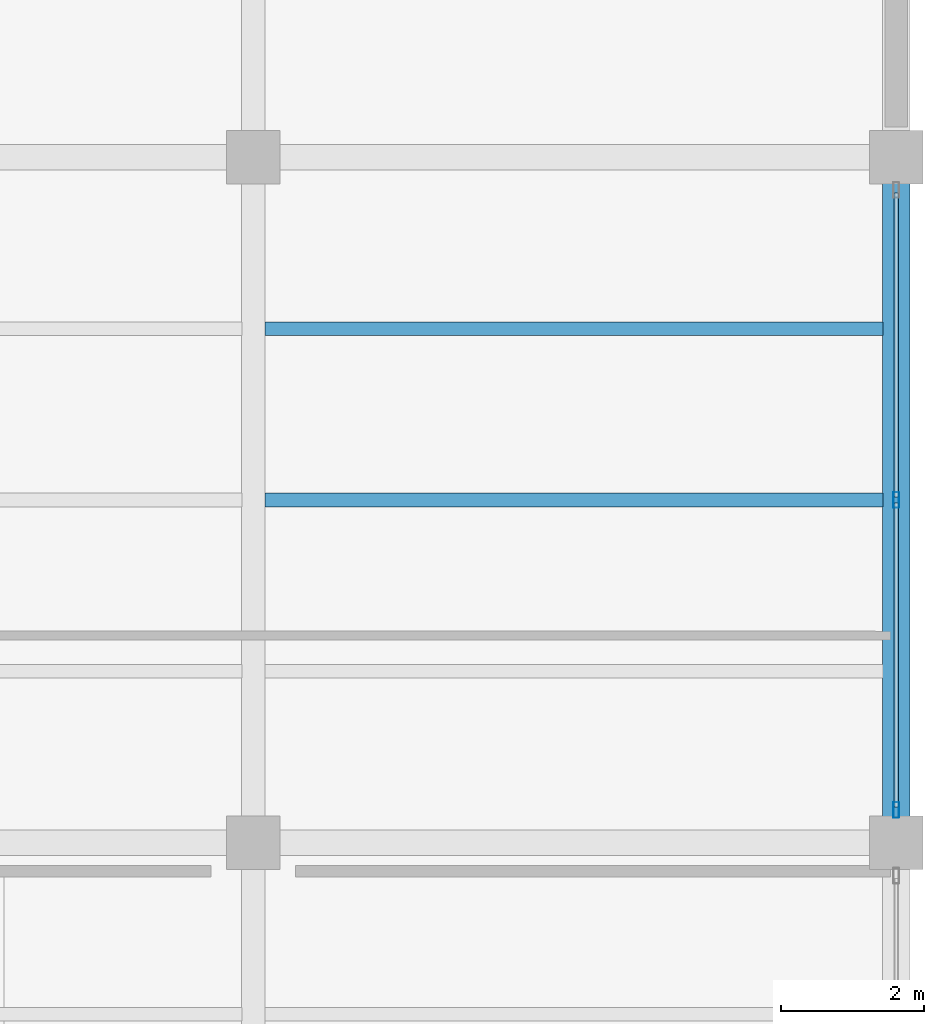
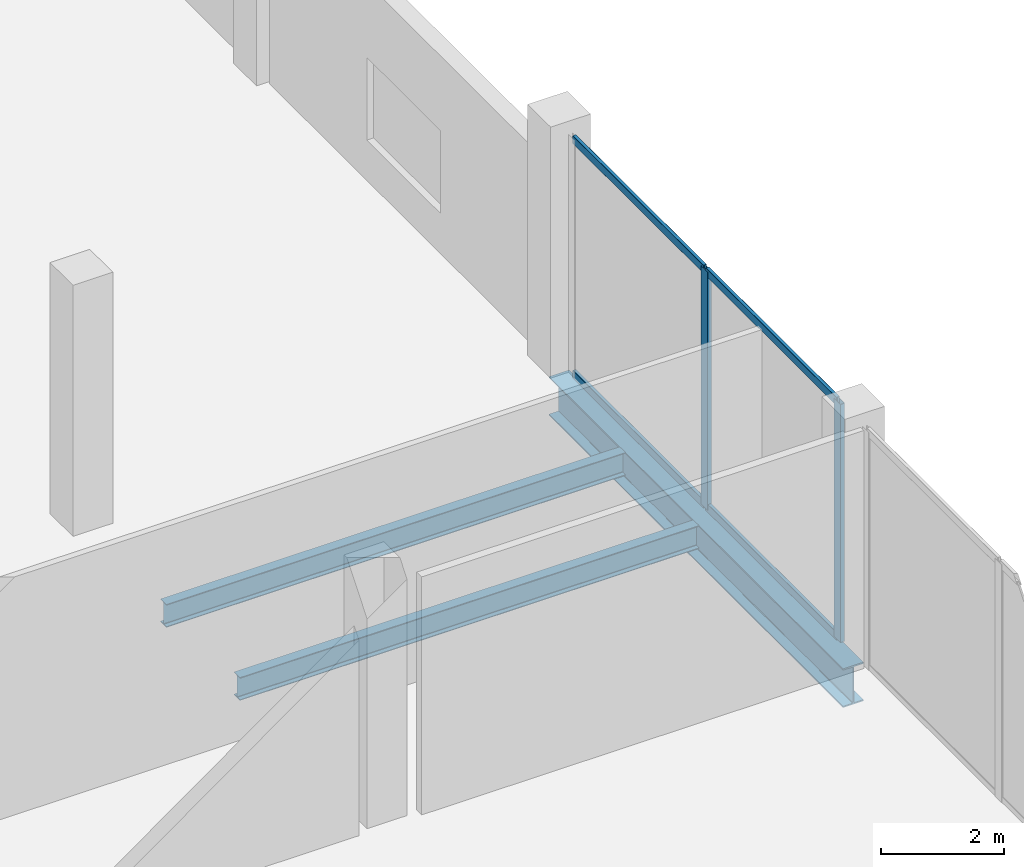
# One storey, part 22 of 47: 6 members, 3 beams, 1 element without a shape of its own.
"""IFC4 building model written with IfcOpenShell, lengths in metres."""

from ifc_helpers import new_model, si_unit, direction, frame, origin, origin_2d, place, context, subcontext, project, spatial, hollow_rectangle, i_section, extrude, material, layer, layer_set, material_profile, profile_set, type_object, element, aggregate, save


model = new_model("IFC4")

# Units and contexts
model_context = context("Model", 3, precision=1e-05, world=origin(), true_north=direction((0.0, 1.0)))
body_context = subcontext(model_context, "Body", "Model", "MODEL_VIEW")
ifc_project = project(units=[si_unit("LENGTHUNIT", "METRE"), si_unit("AREAUNIT", "SQUARE_METRE"), si_unit("VOLUMEUNIT", "CUBIC_METRE"), si_unit("PLANEANGLEUNIT", "RADIAN"), si_unit("MASSUNIT", "GRAM", prefix="KILO")], contexts=[model_context])

# Site, building, storey
site_placement = place(None, origin())
site = spatial("IfcSite", under=ifc_project, at=site_placement, CompositionType="ELEMENT")
building_placement = place(site_placement, origin())
building = spatial("IfcBuilding", under=site, at=building_placement, Name="Qorvath Tower", CompositionType="ELEMENT")
storey_placement = place(building_placement, frame((0.0, 0.0, 12.0)))
storey = spatial("IfcBuildingStorey", under=building, at=storey_placement, Name="L02", CompositionType="ELEMENT", Elevation=12.0)

# Beams
ifc_material_1 = material(Name="Steel ASTM A992 Grade 50", Category="steel")
ifc_material_profile_1 = material_profile(ifc_material_1, i_section(OverallWidth=0.381103515625, OverallDepth=0.77294921875, WebThickness=0.0166015625, FlangeThickness=0.027099609375, FilletRadius=0.01904296875, at=origin_2d()), Name="W30x173")
ifc_profile_set_1 = profile_set([ifc_material_profile_1], Name="Steel ASTM A992 Grade 50")
beam_type_1 = type_object("IfcBeamType", Name="BM-FG3", PredefinedType="BEAM", material=ifc_profile_set_1)
beam_placement = place(storey_placement, frame((77.39990234375, 9.60009765625, -0.646484375), z_axis=(0.0, 1.0, 0.0), x_axis=(-1.0, 0.0, 0.0)))
element("IfcBeam", 1, at=beam_placement, inside=storey, type_object=beam_type_1, Name="Library N-S Girder L02-6-6", PredefinedType="BEAM", context=body_context, shape_type="SweptSolid", body=[
    extrude(i_section(OverallWidth=0.381103515625, OverallDepth=0.77294921875, WebThickness=0.0166015625, FlangeThickness=0.027099609375, FilletRadius=0.01904296875, at=origin_2d()), origin(), (0.0, 0.0, 1.0), 9.599853515625),
])
ifc_material_2 = material(Name="Steel ASTM A992 Grade 50", Category="steel")
ifc_material_profile_2 = material_profile(ifc_material_2, i_section(OverallWidth=0.18994140625, OverallDepth=0.45703125, WebThickness=0.009033203125, FlangeThickness=0.014404296875, FilletRadius=0.011962890625, at=origin_2d()), Name="W18x50")
ifc_profile_set_2 = profile_set([ifc_material_profile_2], Name="Steel ASTM A992 Grade 50")
beam_type_2 = type_object("IfcBeamType", Name="BM-FJ2", PredefinedType="JOIST", material=ifc_profile_set_2)
for number, where, z_axis, x_axis, name in (
    (2, (68.560546875, 14.39990234375, -0.488525390625), (1.0, 0.0, 0.0), (0.0, 1.0, 0.0), "Library Stack Joist L02-6.2-5"),
    (3, (68.560546875, 16.800048828125, -0.488525390625), (1.0, 0.0, 0.0), (0.0, 1.0, 0.0), "Library Stack Joist L02-6.3-5"),
):
    element("IfcBeam", number, at=place(storey_placement, frame(where, z_axis=z_axis, x_axis=x_axis)), inside=storey, type_object=beam_type_2, Name=name, PredefinedType="JOIST", context=body_context, shape_type="SweptSolid", body=[
        extrude(i_section(OverallWidth=0.18994140625, OverallDepth=0.45703125, WebThickness=0.009033203125, FlangeThickness=0.014404296875, FilletRadius=0.011962890625, at=origin_2d()), origin(), (0.0, 0.0, 1.0), 8.65087890625),
    ])

# Curtain wall, members
ifc_material_3 = material(Name="Anodised aluminium and triple low-E glass", Category="aluminium")
ifc_layer = layer(ifc_material_3, 0.179931640625)
ifc_layer_set = layer_set([ifc_layer], Name="CW-SYS-6")
curtain_wall_type = type_object("IfcCurtainWallType", Name="CW-SYS-6", PredefinedType="NOTDEFINED", material=ifc_layer_set)
curtain_wall_placement = place(storey_placement, origin())
curtain_wall = element("IfcCurtainWall", 4, at=curtain_wall_placement, inside=storey, type_object=curtain_wall_type, Name="Curtain Wall CW-6 CW-LIB-E-L02-6", PredefinedType="NOTDEFINED")
ifc_material_4 = material(Name="Anodised aluminium 6063-T6", Category="aluminium")
ifc_material_profile_3 = material_profile(ifc_material_4, hollow_rectangle(XDim=0.080078125, YDim=0.219970703125, WallThickness=0.00439453125, InnerFilletRadius=0.00439453125, OuterFilletRadius=0.009033203125, at=origin_2d()), Name="CWM LIB 220x80")
ifc_profile_set_3 = profile_set([ifc_material_profile_3], Name="Anodised aluminium 6063-T6")
member_type_1 = type_object("IfcMemberType", Name="CWM-LIB", PredefinedType="MULLION", material=ifc_profile_set_3)
member_1_placement = place(storey_placement, frame((77.39990234375, 10.06005859375, 0.0), z_axis=(0.0, 0.0, 1.0), x_axis=(-1.0, 0.0, 0.0)))
member_1 = element("IfcMember", 5, at=member_1_placement, type_object=member_type_1, Name="CW-6 mullion 1", PredefinedType="MULLION", context=body_context, shape_type="SweptSolid", body=[
    extrude(hollow_rectangle(XDim=0.080078125, YDim=0.219970703125, WallThickness=0.00439453125, InnerFilletRadius=0.00439453125, OuterFilletRadius=0.009033203125, at=origin_2d()), origin(), (0.0, 0.0, 1.0), 4.739990234375),
])
member_2_placement = place(storey_placement, frame((77.39990234375, 14.39990234375, 0.0), z_axis=(0.0, 0.0, 1.0), x_axis=(-1.0, 0.0, 0.0)))
member_2 = element("IfcMember", 6, at=member_2_placement, type_object=member_type_1, Name="CW-6 mullion 2", PredefinedType="MULLION", context=body_context, shape_type="SweptSolid", body=[
    extrude(hollow_rectangle(XDim=0.080078125, YDim=0.219970703125, WallThickness=0.00439453125, InnerFilletRadius=0.00439453125, OuterFilletRadius=0.009033203125, at=origin_2d()), origin(), (0.0, 0.0, 1.0), 4.739990234375),
])
ifc_material_5 = material(Name="Anodised aluminium 6063-T6", Category="aluminium")
ifc_material_profile_4 = material_profile(ifc_material_5, hollow_rectangle(XDim=0.06494140625, YDim=0.159912109375, WallThickness=0.00341796875, InnerFilletRadius=0.00341796875, OuterFilletRadius=0.007080078125, at=origin_2d()), Name="CWT 160x65")
ifc_profile_set_4 = profile_set([ifc_material_profile_4], Name="Anodised aluminium 6063-T6")
member_type_2 = type_object("IfcMemberType", Name="CWT-160", PredefinedType="USERDEFINED", material=ifc_profile_set_4)
member_3_placement = place(storey_placement, frame((77.39990234375, 10.10009765625, 0.032470703125), z_axis=(0.0, 1.0, 0.0), x_axis=(-1.0, 0.0, 0.0)))
member_3 = element("IfcMember", 7, at=member_3_placement, type_object=member_type_2, Name="CW-6 transom 1.1", ObjectType="TRANSOM", PredefinedType="USERDEFINED", context=body_context, shape_type="SweptSolid", body=[
    extrude(hollow_rectangle(XDim=0.06494140625, YDim=0.159912109375, WallThickness=0.00341796875, InnerFilletRadius=0.00341796875, OuterFilletRadius=0.007080078125, at=origin_2d()), origin(), (0.0, 0.0, 1.0), 4.260009765625),
])
member_4_placement = place(storey_placement, frame((77.39990234375, 10.10009765625, 4.70751953125), z_axis=(0.0, 1.0, 0.0), x_axis=(-1.0, 0.0, 0.0)))
member_4 = element("IfcMember", 8, at=member_4_placement, type_object=member_type_2, Name="CW-6 transom 1.2", ObjectType="TRANSOM", PredefinedType="USERDEFINED", context=body_context, shape_type="SweptSolid", body=[
    extrude(hollow_rectangle(XDim=0.06494140625, YDim=0.159912109375, WallThickness=0.00341796875, InnerFilletRadius=0.00341796875, OuterFilletRadius=0.007080078125, at=origin_2d()), origin(), (0.0, 0.0, 1.0), 4.260009765625),
])
member_5_placement = place(storey_placement, frame((77.39990234375, 14.43994140625, 0.032470703125), z_axis=(0.0, 1.0, 0.0), x_axis=(-1.0, 0.0, 0.0)))
member_5 = element("IfcMember", 9, at=member_5_placement, type_object=member_type_2, Name="CW-6 transom 2.1", ObjectType="TRANSOM", PredefinedType="USERDEFINED", context=body_context, shape_type="SweptSolid", body=[
    extrude(hollow_rectangle(XDim=0.06494140625, YDim=0.159912109375, WallThickness=0.00341796875, InnerFilletRadius=0.00341796875, OuterFilletRadius=0.007080078125, at=origin_2d()), origin(), (0.0, 0.0, 1.0), 4.260009765625),
])
member_6_placement = place(storey_placement, frame((77.39990234375, 14.43994140625, 4.70751953125), z_axis=(0.0, 1.0, 0.0), x_axis=(-1.0, 0.0, 0.0)))
member_6 = element("IfcMember", 10, at=member_6_placement, type_object=member_type_2, Name="CW-6 transom 2.2", ObjectType="TRANSOM", PredefinedType="USERDEFINED", context=body_context, shape_type="SweptSolid", body=[
    extrude(hollow_rectangle(XDim=0.06494140625, YDim=0.159912109375, WallThickness=0.00341796875, InnerFilletRadius=0.00341796875, OuterFilletRadius=0.007080078125, at=origin_2d()), origin(), (0.0, 0.0, 1.0), 4.260009765625),
])
aggregate(curtain_wall, [member_1, member_2, member_3, member_4, member_5, member_6])

save(model, "model.ifc")
